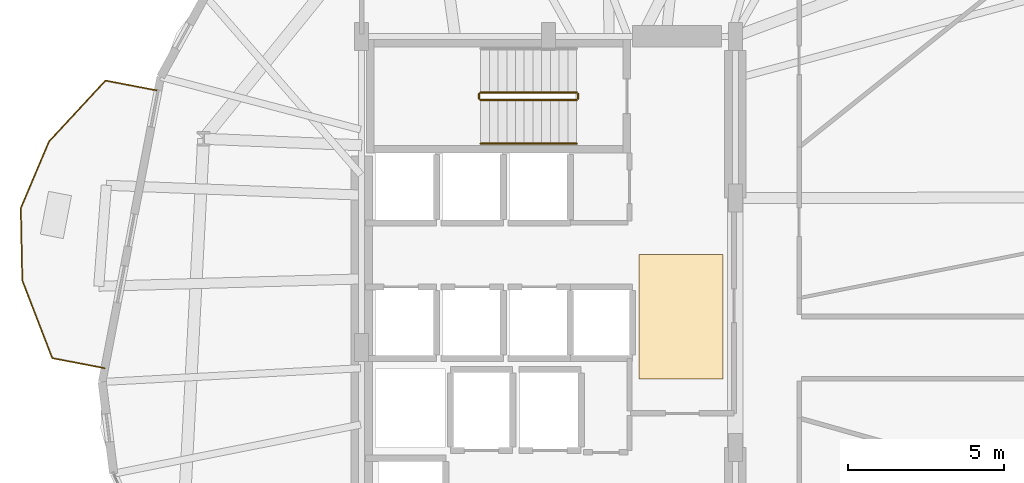
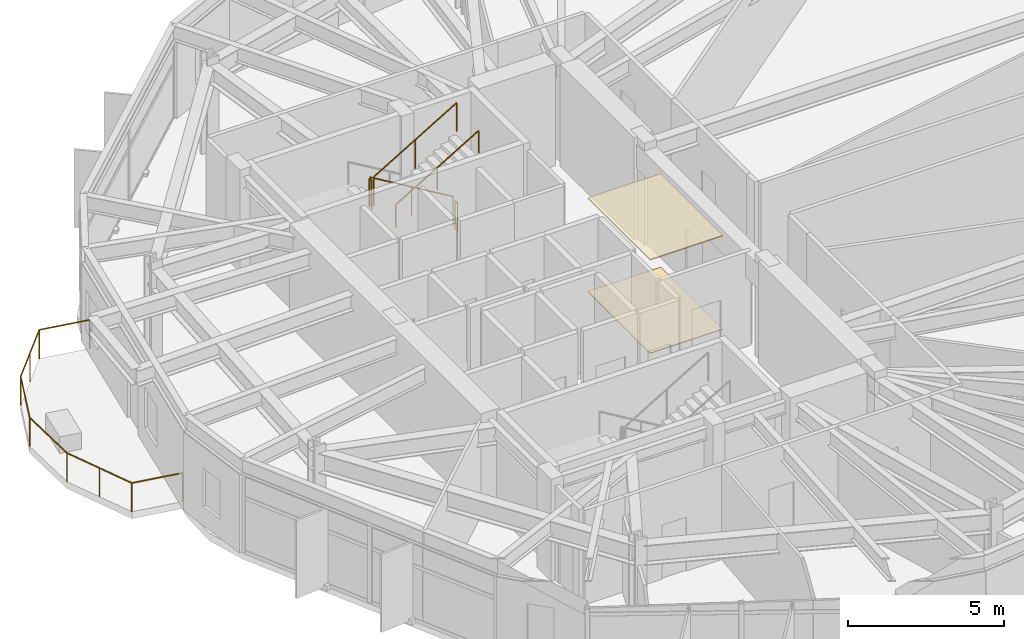
# One storey, part 21 of 22: 6 railings, 2 coverings.
"""IFC4 building model written with IfcOpenShell, lengths in metres."""

import ifcopenshell
import ifcopenshell.guid

model = None  # the IFC model being written
_history = None  # IfcOwnerHistory: only IFC2X3 demands one
_inside = {}  # id of a spatial element -> (the spatial element, [elements in it])
_under = {}  # id of a project, library or spatial element -> (it, [spatial elements below it])
_declared = {}  # id of a project -> (the project, [libraries it declares])
_typed = {}  # id of a type object -> (the type object, [elements of that type])
_made_of = {}  # id of a material, layer set ... -> (it, [elements and type objects made of it])


def new_model(schema):
    """Start an empty IFC model of exactly this schema.

    Asked for "IFC4X3", IfcOpenShell would pick the latest addendum, in which some entities
    have other attributes; the version numbers below select the first issue.
    IFC2X3 requires an IfcOwnerHistory on every rooted entity: one is made here for all.
    """
    global model, _history
    if schema == "IFC4X3":
        model = ifcopenshell.file(schema_version=(4, 3, 0, 0))
    else:
        model = ifcopenshell.file(schema=schema)
    _inside.clear()
    _under.clear()
    _declared.clear()
    _typed.clear()
    _made_of.clear()
    _history = None
    if model.schema == "IFC2X3":
        org = make("IfcOrganization", Name="unknown")
        user = make(
            "IfcPersonAndOrganization",
            ThePerson=make("IfcPerson", FamilyName="unknown"),
            TheOrganization=org,
        )
        app = make(
            "IfcApplication",
            ApplicationDeveloper=org,
            Version="unknown",
            ApplicationFullName="unknown",
            ApplicationIdentifier="unknown",
        )
        _history = make(
            "IfcOwnerHistory",
            OwningUser=user,
            OwningApplication=app,
            ChangeAction="ADDED",
            CreationDate=0,
        )
    return model


def make(cls, **values):
    """One entity of the class cls with the attributes given. An attribute that is None is left unset."""
    return model.create_entity(
        cls, **{name: value for name, value in values.items() if value is not None}
    )


def rooted(cls, **values):
    """An entity with a GlobalId (a new one), such as an element, a storey or a relation."""
    return make(cls, GlobalId=ifcopenshell.guid.new(), OwnerHistory=_history, **values)


def si_unit(unit_type, name, prefix=None):
    """IfcSIUnit, for example si_unit("LENGTHUNIT", "METRE", prefix="MILLI")."""
    return make("IfcSIUnit", UnitType=unit_type, Prefix=prefix, Name=name)


def assignment(units):
    """IfcUnitAssignment: the units of a project."""
    return None if units is None else make("IfcUnitAssignment", Units=units)


def point(xyz):
    """IfcCartesianPoint."""
    return None if xyz is None else make("IfcCartesianPoint", Coordinates=xyz)


def direction(xyz):
    """IfcDirection."""
    return None if xyz is None else make("IfcDirection", DirectionRatios=xyz)


def frame(location, z_axis=None, x_axis=None):
    """IfcAxis2Placement3D, a coordinate frame: its origin and axes. An axis left out is left unset."""
    return make(
        "IfcAxis2Placement3D",
        Location=point(location),
        Axis=direction(z_axis),
        RefDirection=direction(x_axis),
    )


def frame_2d(location, x_axis=None):
    """IfcAxis2Placement2D, a coordinate frame in the plane: its origin and x axis."""
    return make(
        "IfcAxis2Placement2D", Location=point(location), RefDirection=direction(x_axis)
    )


def origin():
    """The frame at (0, 0, 0) with its axes left unset."""
    return frame((0.0, 0.0, 0.0))


def origin_2d():
    """The frame at (0, 0) in the plane with its x axis left unset."""
    return frame_2d((0.0, 0.0))


def place(relative_to, where):
    """IfcLocalPlacement: puts the frame where relative to a parent placement (None: the world)."""
    return make(
        "IfcLocalPlacement", PlacementRelTo=relative_to, RelativePlacement=where
    )


def context(
    kind, dimensions, precision=None, world=None, true_north=None, identifier=None
):
    """IfcGeometricRepresentationContext, for example the 3D "Model" context."""
    return make(
        "IfcGeometricRepresentationContext",
        ContextIdentifier=identifier,
        ContextType=kind,
        CoordinateSpaceDimension=dimensions,
        Precision=precision,
        WorldCoordinateSystem=world,
        TrueNorth=true_north,
    )


def subcontext(parent, identifier, kind, view, scale=None):
    """IfcGeometricRepresentationSubContext, for example "Body" below "Model"."""
    return make(
        "IfcGeometricRepresentationSubContext",
        ContextIdentifier=identifier,
        ContextType=kind,
        ParentContext=parent,
        TargetScale=scale,
        TargetView=view,
    )


def project(units=None, contexts=None):
    """IfcProject with its units and contexts."""
    return rooted(
        "IfcProject",
        Name="project",
        RepresentationContexts=contexts,
        UnitsInContext=assignment(units),
    )


def spatial(cls, under=None, at=None, **own):
    """A site, building, storey or space (cls), placed at a placement, below another one or the project."""
    s = rooted(cls, ObjectPlacement=at, **own)
    if under is not None:
        _under.setdefault(under.id(), (under, []))[1].append(s)
    return s


def polyline(points):
    """IfcPolyline through the points."""
    return make("IfcPolyline", Points=[point(p) for p in points])


def profile(cls, at=None, kind="AREA", **sizes):
    """A parametric profile (cls). Its sizes go by their IFC names, for example OverallWidth=200.0."""
    return make(cls, ProfileType=kind, Position=at, **sizes)


def circle(**sizes):
    """IfcCircleProfileDef."""
    return profile("IfcCircleProfileDef", **sizes)


def outline(outer, holes=None, kind="AREA"):
    """IfcArbitraryClosedProfileDef: a profile drawn as a closed curve; with holes, ...WithVoids."""
    if holes is None:
        return make("IfcArbitraryClosedProfileDef", ProfileType=kind, OuterCurve=outer)
    return make(
        "IfcArbitraryProfileDefWithVoids",
        ProfileType=kind,
        OuterCurve=outer,
        InnerCurves=holes,
    )


def extrude(swept, where, along, depth):
    """IfcExtrudedAreaSolid: the profile swept, set in the frame where, extruded along a direction by depth."""
    return make(
        "IfcExtrudedAreaSolid",
        SweptArea=swept,
        Position=where,
        ExtrudedDirection=direction(along),
        Depth=depth,
    )


def shape(context_of_items, identifier, shape_type, items):
    """IfcShapeRepresentation: the items that make up one representation, for example the "Body"."""
    return make(
        "IfcShapeRepresentation",
        ContextOfItems=context_of_items,
        RepresentationIdentifier=identifier,
        RepresentationType=shape_type,
        Items=items,
    )


def material(Name=None, Category=None):
    """IfcMaterial."""
    return make("IfcMaterial", Name=Name, Category=Category)


def layer(
    of_material, thickness, ventilated=None, Name=None, Category=None, Priority=None
):
    """IfcMaterialLayer: one layer of a wall or slab, of a material (None: an air gap)."""
    return make(
        "IfcMaterialLayer",
        Material=of_material,
        LayerThickness=thickness,
        IsVentilated=ventilated,
        Name=Name,
        Category=Category,
        Priority=Priority,
    )


def layer_set(layers, Name=None):
    """IfcMaterialLayerSet."""
    return make("IfcMaterialLayerSet", MaterialLayers=layers, LayerSetName=Name)


def made_of(thing, what):
    """Note that an element or type object is made of a material, layer set ...; save() writes the relation."""
    if what is not None:
        _made_of.setdefault(what.id(), (what, []))[1].append(thing)
    return thing


def type_object(cls, material=None, **own):
    """A type object (cls), such as IfcWallType, which elements share."""
    return made_of(rooted(cls, **own), material)


def element(
    cls,
    number,
    at=None,
    inside=None,
    cuts=None,
    type_object=None,
    material=None,
    context=None,
    identifier="Body",
    shape_type=None,
    held_by="IfcProductDefinitionShape",
    body=None,
    shapes=None,
    **own,
):
    """One element of the class cls, such as IfcWall. Its Tag is "e" and its number.

    at: its placement. inside: the storey or other place that contains it. cuts: it is an
    opening in that element (IfcRelVoidsElement). A single representation is given by context,
    identifier, shape_type and body (its items); several are given by shapes. held_by: the class
    of the entity that holds the representations. save() writes the other relations.
    """
    e = rooted(cls, Tag="e%d" % number, ObjectPlacement=at, **own)
    if body is not None:
        shapes = [shape(context, identifier, shape_type, body)]
    if shapes is not None:
        e.Representation = make(held_by, Representations=shapes)
    if inside is not None:
        _inside.setdefault(inside.id(), (inside, []))[1].append(e)
    if cuts is not None:
        rooted(
            "IfcRelVoidsElement", RelatingBuildingElement=cuts, RelatedOpeningElement=e
        )
    if type_object is not None:
        _typed.setdefault(type_object.id(), (type_object, []))[1].append(e)
    return made_of(e, material)


def aggregate(whole, parts):
    """IfcRelAggregates: a whole, such as a stair, and the parts it consists of."""
    return rooted("IfcRelAggregates", RelatingObject=whole, RelatedObjects=parts)


def save(model, path):
    """Write the relations noted so far, then the file.

    IfcRelAggregates (storeys below a building ...), IfcRelContainedInSpatialStructure (elements
    in a storey), IfcRelDefinesByType, IfcRelAssociatesMaterial and IfcRelDeclares: one each for
    every whole, place, type object, material and project.
    """
    for whole, parts in _under.values():
        aggregate(whole, parts)
    for where, things in _inside.values():
        rooted(
            "IfcRelContainedInSpatialStructure",
            RelatedElements=things,
            RelatingStructure=where,
        )
    for kind, things in _typed.values():
        rooted("IfcRelDefinesByType", RelatedObjects=things, RelatingType=kind)
    for what, things in _made_of.values():
        rooted("IfcRelAssociatesMaterial", RelatedObjects=things, RelatingMaterial=what)
    for by, libraries in _declared.values():
        rooted("IfcRelDeclares", RelatingContext=by, RelatedDefinitions=libraries)
    model.write(path)


model = new_model("IFC4")

# Units and contexts
model_context = context("Model", 3, precision=1e-05, world=origin(), true_north=direction((0.0, 1.0)))
body_context = subcontext(model_context, "Body", "Model", "MODEL_VIEW")
ifc_project = project(units=[si_unit("LENGTHUNIT", "METRE"), si_unit("AREAUNIT", "SQUARE_METRE"), si_unit("VOLUMEUNIT", "CUBIC_METRE"), si_unit("PLANEANGLEUNIT", "RADIAN"), si_unit("MASSUNIT", "GRAM", prefix="KILO")], contexts=[model_context])

# Site, building, storey
site_placement = place(None, origin())
site = spatial("IfcSite", under=ifc_project, at=site_placement, CompositionType="ELEMENT")
building_placement = place(site_placement, origin())
building = spatial("IfcBuilding", under=site, at=building_placement, Name="Soratama Intermodal Tower", CompositionType="ELEMENT")
storey_placement = place(building_placement, frame((0.0, 0.0, 54.60009765625)))
storey = spatial("IfcBuildingStorey", under=building, at=storey_placement, Name="L12", CompositionType="ELEMENT", Elevation=54.60009765625)

# Coverings
ifc_material_1 = material(Name="Perforated mineral acoustic ceiling", Category="concrete")
ifc_layer_1 = layer(ifc_material_1, 0.0400390625)
ifc_layer_set_1 = layer_set([ifc_layer_1], Name="Perforated mineral acoustic ceiling")
covering_type_1 = type_object("IfcCoveringType", Name="CV-CEIL-ACOUSTIC", PredefinedType="CEILING", material=ifc_layer_set_1)
covering_1_placement = place(storey_placement, frame((0.0, 0.0, 3.659912109375)))
element("IfcCovering", 1, at=covering_1_placement, inside=storey, type_object=covering_type_1, Name="L12 Acoustic Ceiling", PredefinedType="CEILING", context=body_context, shape_type="SweptSolid", body=[
    extrude(outline(polyline([(41.5, 24.0), (44.199951171875, 24.0), (44.199951171875, 28.0), (41.5, 28.0), (41.5, 24.0)])), origin(), (0.0, 0.0, 1.0), 0.0400390625),
])
ifc_material_2 = material(Name="Polished Andean stone terrazzo flooring", Category="masonry")
ifc_layer_2 = layer(ifc_material_2, 0.030029296875)
ifc_layer_set_2 = layer_set([ifc_layer_2], Name="Polished Andean stone terrazzo flooring")
covering_type_2 = type_object("IfcCoveringType", Name="CV-FLOR-TERRAZZO", PredefinedType="FLOORING", material=ifc_layer_set_2)
covering_2_placement = place(storey_placement, origin())
element("IfcCovering", 2, at=covering_2_placement, inside=storey, type_object=covering_type_2, Name="L12 Lobby Terrazzo Flooring", PredefinedType="FLOORING", context=body_context, shape_type="SweptSolid", body=[
    extrude(outline(polyline([(41.5, 24.0), (44.199951171875, 24.0), (44.199951171875, 28.0), (41.5, 28.0), (41.5, 24.0)])), origin(), (0.0, 0.0, 1.0), 0.02978515625),
])

# Railings
ifc_material_3 = material(Name="Laminated glass and stainless steel balustrade", Category="steel")
railing_type_1 = type_object("IfcRailingType", Name="RL-BAL-1150", PredefinedType="BALUSTRADE", material=ifc_material_3)
railing_1_placement = place(storey_placement, frame((24.349609375, 24.33935546875, 0.0)))
element("IfcRailing", 3, at=railing_1_placement, inside=storey, type_object=railing_type_1, Name="L12 Balcony Balustrade 2", PredefinedType="BALUSTRADE", context=body_context, shape_type="SweptSolid", body=[
    extrude(circle(Radius=0.02392578125, at=origin_2d()), frame((0.0, 0.0, 1.1259765625), z_axis=(-0.982074214564, 0.188494660636, 0.0), x_axis=(-0.188494660636, -0.982074214564, 0.0)), (0.0, 0.0, 1.0), 1.719970703125),
    extrude(circle(Radius=0.02392578125, at=origin_2d()), frame((-1.689208984375, 0.32421875, 1.1259765625), z_axis=(-0.359810773431, 0.933025298329, 0.0), x_axis=(-0.933025298329, -0.359810773431, 0.0)), (0.0, 0.0, 1.0), 2.6748046875),
    extrude(circle(Radius=0.02392578125, at=origin_2d()), frame((-2.651611328125, 2.81982421875, 1.1259765625), z_axis=(-0.020826623279, 0.999783102359, 0.0), x_axis=(-0.999783102359, -0.020826623279, 0.0)), (0.0, 0.0, 1.0), 2.321044921875),
    extrude(circle(Radius=0.02392578125, at=origin_2d()), frame((-2.699951171875, 5.140380859375, 1.1259765625), z_axis=(0.389331111846, 0.921097869582, 0.0), x_axis=(-0.921097869582, 0.389331111846, 0.0)), (0.0, 0.0, 1.0), 2.32080078125),
    extrude(circle(Radius=0.02392578125, at=origin_2d()), frame((-1.79638671875, 7.278076171875, 1.1259765625), z_axis=(0.679526326835, 0.733651123586, 0.0), x_axis=(-0.733651123586, 0.679526326835, 0.0)), (0.0, 0.0, 1.0), 2.6748046875),
    extrude(circle(Radius=0.02392578125, at=origin_2d()), frame((0.021240234375, 9.240478515625, 1.1259765625), z_axis=(0.982100480823, -0.18835775951, 0.0), x_axis=(0.18835775951, 0.982100480823, 0.0)), (0.0, 0.0, 1.0), 1.719970703125),
    extrude(circle(Radius=0.02099609375, at=origin_2d()), origin(), (0.0, 0.0, 1.0), 1.101806640625),
    extrude(circle(Radius=0.02099609375, at=origin_2d()), frame((-1.689208984375, 0.32421875, 0.0)), (0.0, 0.0, 1.0), 1.101806640625),
    extrude(circle(Radius=0.02099609375, at=origin_2d()), frame((-2.17041015625, 1.572021484375, 0.0)), (0.0, 0.0, 1.0), 1.101806640625),
    extrude(circle(Radius=0.02099609375, at=origin_2d()), frame((-2.651611328125, 2.81982421875, 0.0)), (0.0, 0.0, 1.0), 1.101806640625),
    extrude(circle(Radius=0.02099609375, at=origin_2d()), frame((-2.699951171875, 5.140380859375, 0.0)), (0.0, 0.0, 1.0), 1.101806640625),
    extrude(circle(Radius=0.02099609375, at=origin_2d()), frame((-1.79638671875, 7.278076171875, 0.0)), (0.0, 0.0, 1.0), 1.101806640625),
    extrude(circle(Radius=0.02099609375, at=origin_2d()), frame((-0.8876953125, 8.25927734375, 0.0)), (0.0, 0.0, 1.0), 1.101806640625),
    extrude(circle(Radius=0.02099609375, at=origin_2d()), frame((0.021240234375, 9.240478515625, 0.0)), (0.0, 0.0, 1.0), 1.101806640625),
    extrude(circle(Radius=0.02099609375, at=origin_2d()), frame((1.71044921875, 8.91650390625, 0.0)), (0.0, 0.0, 1.0), 1.101806640625),
])
ifc_material_4 = material(Name="Painted steel stair guardrail", Category="steel")
railing_type_2 = type_object("IfcRailingType", Name="RL-STAIR-GUARD", PredefinedType="GUARDRAIL", material=ifc_material_4)
railing_2_placement = place(storey_placement, frame((39.5, 33.199951171875, 0.16650390625)))
element("IfcRailing", 4, at=railing_2_placement, inside=storey, type_object=railing_type_2, Name="L12 ST-2 stair guard 1", PredefinedType="GUARDRAIL", context=body_context, shape_type="SweptSolid", body=[
    extrude(circle(Radius=0.02392578125, at=origin_2d()), frame((0.0, 0.0, 1.1259765625), z_axis=(-0.85927862911, 0.0, 0.511507807912), x_axis=(0.0, -1.0, 0.0)), (0.0, 0.0, 1.0), 3.58447265625),
    extrude(circle(Radius=0.02099609375, at=origin_2d()), origin(), (0.0, 0.0, 1.0), 1.101806640625),
    extrude(circle(Radius=0.02099609375, at=origin_2d()), frame((-1.5400390625, 0.0, 0.916748046875)), (0.0, 0.0, 1.0), 1.101806640625),
    extrude(circle(Radius=0.02099609375, at=origin_2d()), frame((-3.080078125, 0.0, 1.83349609375)), (0.0, 0.0, 1.0), 1.101806640625),
])
railing_3_placement = place(storey_placement, frame((36.3701171875, 33.14990234375, 2.0)))
element("IfcRailing", 5, at=railing_3_placement, inside=storey, type_object=railing_type_2, Name="L12 ST-2 stair guard 2", PredefinedType="GUARDRAIL", context=body_context, shape_type="SweptSolid", body=[
    extrude(circle(Radius=0.02392578125, at=origin_2d()), frame((0.0, 0.0, 1.1259765625), z_axis=(0.0, -1.0, 0.0), x_axis=(1.0, 0.0, 0.0)), (0.0, 0.0, 1.0), 0.14990234375),
    extrude(circle(Radius=0.02099609375, at=origin_2d()), origin(), (0.0, 0.0, 1.0), 1.101806640625),
    extrude(circle(Radius=0.02099609375, at=origin_2d()), frame((0.0, -0.14990234375, 0.0)), (0.0, 0.0, 1.0), 1.101806640625),
])
railing_4_placement = place(storey_placement, frame((36.419921875, 32.949951171875, 2.16650390625)))
element("IfcRailing", 6, at=railing_4_placement, inside=storey, type_object=railing_type_2, Name="L12 ST-2 stair guard 3", PredefinedType="GUARDRAIL", context=body_context, shape_type="SweptSolid", body=[
    extrude(circle(Radius=0.02392578125, at=origin_2d()), frame((0.0, 0.0, 1.1259765625), z_axis=(0.85927862911, 0.0, 0.511507807912), x_axis=(0.0, 1.0, 0.0)), (0.0, 0.0, 1.0), 3.58447265625),
    extrude(circle(Radius=0.02099609375, at=origin_2d()), origin(), (0.0, 0.0, 1.0), 1.101806640625),
    extrude(circle(Radius=0.02099609375, at=origin_2d()), frame((1.5400390625, 0.0, 0.916748046875)), (0.0, 0.0, 1.0), 1.101806640625),
    extrude(circle(Radius=0.02099609375, at=origin_2d()), frame((3.080078125, 0.0, 1.83349609375)), (0.0, 0.0, 1.0), 1.101806640625),
])
railing_5_placement = place(storey_placement, frame((39.550048828125, 33.14990234375, 0.0)))
element("IfcRailing", 7, at=railing_5_placement, inside=storey, type_object=railing_type_2, Name="L12 ST-2 stair guard 4", PredefinedType="GUARDRAIL", context=body_context, shape_type="SweptSolid", body=[
    extrude(circle(Radius=0.02392578125, at=origin_2d()), frame((0.0, 0.0, 1.1259765625), z_axis=(0.0, -1.0, 0.0), x_axis=(1.0, 0.0, 0.0)), (0.0, 0.0, 1.0), 0.14990234375),
    extrude(circle(Radius=0.02099609375, at=origin_2d()), origin(), (0.0, 0.0, 1.0), 1.101806640625),
    extrude(circle(Radius=0.02099609375, at=origin_2d()), frame((0.0, -0.14990234375, 0.0)), (0.0, 0.0, 1.0), 1.101806640625),
])
ifc_material_5 = material(Name="Brushed stainless steel handrail", Category="steel")
railing_type_3 = type_object("IfcRailingType", Name="RL-STAIR-HAND", PredefinedType="HANDRAIL", material=ifc_material_5)
railing_6_placement = place(storey_placement, frame((36.419921875, 31.550048828125, 2.16650390625)))
element("IfcRailing", 8, at=railing_6_placement, inside=storey, type_object=railing_type_3, Name="L12 ST-2 stair handrail 2", PredefinedType="HANDRAIL", context=body_context, shape_type="SweptSolid", body=[
    extrude(circle(Radius=0.02392578125, at=origin_2d()), frame((0.0, 0.0, 0.8759765625), z_axis=(0.85927862911, 0.0, 0.511507807912), x_axis=(0.0, 1.0, 0.0)), (0.0, 0.0, 1.0), 3.58447265625),
    extrude(circle(Radius=0.02099609375, at=origin_2d()), origin(), (0.0, 0.0, 1.0), 0.851806640625),
    extrude(circle(Radius=0.02099609375, at=origin_2d()), frame((1.5400390625, 0.0, 0.916748046875)), (0.0, 0.0, 1.0), 0.851806640625),
    extrude(circle(Radius=0.02099609375, at=origin_2d()), frame((3.080078125, 0.0, 1.83349609375)), (0.0, 0.0, 1.0), 0.851806640625),
])

save(model, "model.ifc")
